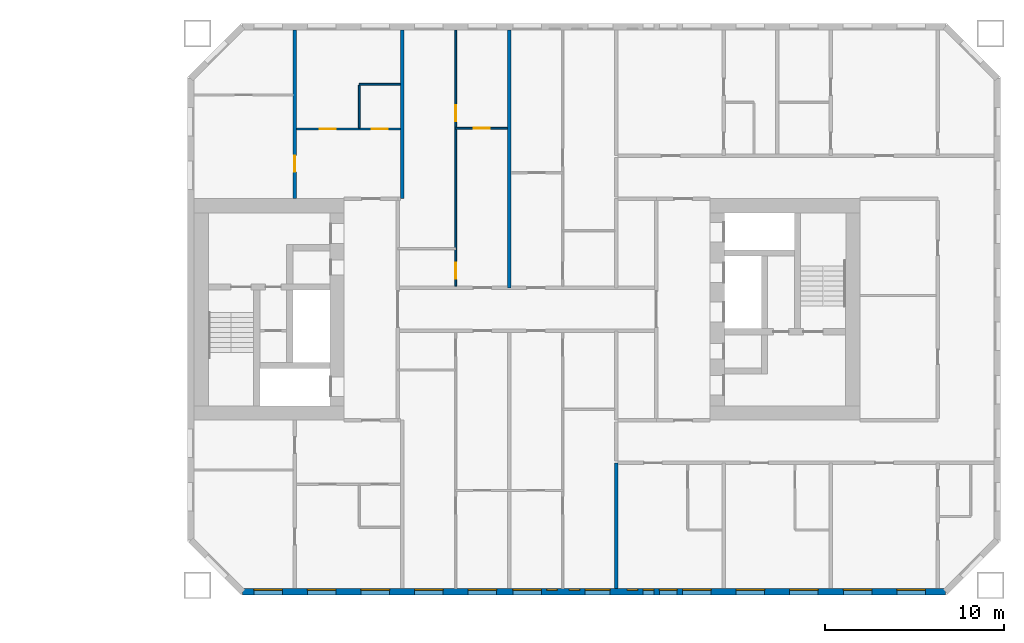
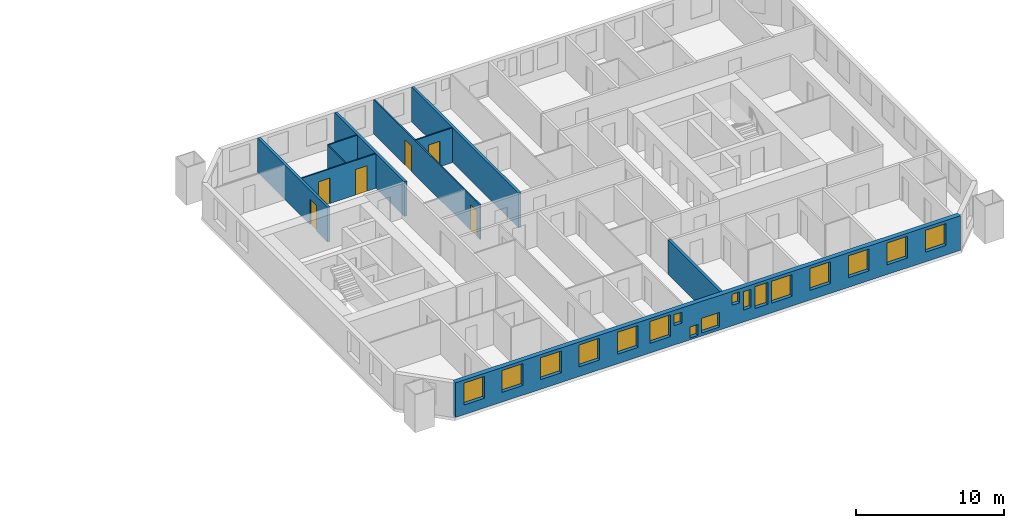
# One storey, part 10 of 16: 17 windows, 10 walls, 6 doors, 23 openings.
"""IFC4 building model written with IfcOpenShell, lengths in metres."""

from ifc_helpers import new_model, si_unit, direction, frame, frame_2d, origin, place, context, subcontext, project, spatial, rectangle, extrude, material, layer, layer_set, type_object, element, fill, save


model = new_model("IFC4")

# Units and contexts
model_context = context("Model", 3, precision=1e-05, world=origin(), true_north=direction((0.0, 1.0)))
body_context = subcontext(model_context, "Body", "Model", "MODEL_VIEW")
ifc_project = project(units=[si_unit("LENGTHUNIT", "METRE"), si_unit("AREAUNIT", "SQUARE_METRE"), si_unit("VOLUMEUNIT", "CUBIC_METRE"), si_unit("PLANEANGLEUNIT", "RADIAN"), si_unit("MASSUNIT", "GRAM", prefix="KILO")], contexts=[model_context])

# Site, building, storey
site_placement = place(None, origin())
site = spatial("IfcSite", under=ifc_project, at=site_placement, CompositionType="ELEMENT")
building_placement = place(site_placement, origin())
building = spatial("IfcBuilding", under=site, at=building_placement, Name="Tuart Gate Housing", CompositionType="ELEMENT")
storey_placement = place(building_placement, frame((0.0, 0.0, 59.800048828125)))
storey = spatial("IfcBuildingStorey", under=building, at=storey_placement, Name="L16", CompositionType="ELEMENT", Elevation=59.800048828125)

# Wall, openings, windows
ifc_material_1 = material(Name="Brick", Category="masonry")
ifc_layer_1 = layer(ifc_material_1, 0.360107421875)
ifc_layer_set_1 = layer_set([ifc_layer_1], Name="Brick pier and spandrel wall 360")
wall_type_1 = type_object("IfcWallType", Name="Brick pier and spandrel wall 360", PredefinedType="STANDARD", material=ifc_layer_set_1)
wall_1_placement = place(storey_placement, frame((134.07470703125, 54.179931640625, 0.0), z_axis=(0.0, 0.0, 1.0), x_axis=(1.0, 0.0, 0.0)))
wall_1 = element("IfcWall", 1, at=wall_1_placement, inside=storey, type_object=wall_type_1, Name="External wall B-S L16", PredefinedType="STANDARD", context=body_context, shape_type="SweptSolid", body=[
    extrude(rectangle(XDim=39.350830078125, YDim=0.360107421875, at=frame_2d((19.67529296875, 0.0))), origin(), (0.0, 0.0, 1.0), 2.849853515625),
])
opening_1_placement = place(wall_1_placement, frame((0.62548828125, 0.0, 0.800048828125)))
opening_1 = element("IfcOpeningElement", 2, at=opening_1_placement, cuts=wall_1, Name="Opening W1", PredefinedType="OPENING", context=body_context, shape_type="SweptSolid", body=[
    extrude(rectangle(XDim=1.60009765625, YDim=1.800048828125, at=frame_2d((0.800048828125, 0.89990234375))), frame((0.0, 0.18994140625, 0.0), z_axis=(0.0, -1.0, 0.0), x_axis=(1.0, 0.0, 0.0)), (0.0, 0.0, 1.0), 0.380126953125),
])
opening_2_placement = place(wall_1_placement, frame((3.62548828125, 0.0, 0.800048828125)))
opening_2 = element("IfcOpeningElement", 3, at=opening_2_placement, cuts=wall_1, Name="Opening W1", PredefinedType="OPENING", context=body_context, shape_type="SweptSolid", body=[
    extrude(rectangle(XDim=1.60009765625, YDim=1.800048828125, at=frame_2d((0.800048828125, 0.89990234375))), frame((0.0, 0.18994140625, 0.0), z_axis=(0.0, -1.0, 0.0), x_axis=(1.0, 0.0, 0.0)), (0.0, 0.0, 1.0), 0.380126953125),
])
opening_3_placement = place(wall_1_placement, frame((6.62548828125, 0.0, 0.800048828125)))
opening_3 = element("IfcOpeningElement", 4, at=opening_3_placement, cuts=wall_1, Name="Opening W1", PredefinedType="OPENING", context=body_context, shape_type="SweptSolid", body=[
    extrude(rectangle(XDim=1.60009765625, YDim=1.800048828125, at=frame_2d((0.800048828125, 0.89990234375))), frame((0.0, 0.18994140625, 0.0), z_axis=(0.0, -1.0, 0.0), x_axis=(1.0, 0.0, 0.0)), (0.0, 0.0, 1.0), 0.380126953125),
])
opening_4_placement = place(wall_1_placement, frame((9.62548828125, 0.0, 0.800048828125)))
opening_4 = element("IfcOpeningElement", 5, at=opening_4_placement, cuts=wall_1, Name="Opening W1", PredefinedType="OPENING", context=body_context, shape_type="SweptSolid", body=[
    extrude(rectangle(XDim=1.60009765625, YDim=1.800048828125, at=frame_2d((0.800048828125, 0.89990234375))), frame((0.0, 0.18994140625, 0.0), z_axis=(0.0, -1.0, 0.0), x_axis=(1.0, 0.0, 0.0)), (0.0, 0.0, 1.0), 0.380126953125),
])
opening_5_placement = place(wall_1_placement, frame((12.62548828125, 0.0, 0.800048828125)))
opening_5 = element("IfcOpeningElement", 6, at=opening_5_placement, cuts=wall_1, Name="Opening W1", PredefinedType="OPENING", context=body_context, shape_type="SweptSolid", body=[
    extrude(rectangle(XDim=1.60009765625, YDim=1.800048828125, at=frame_2d((0.800048828125, 0.89990234375))), frame((0.0, 0.18994140625, 0.0), z_axis=(0.0, -1.0, 0.0), x_axis=(1.0, 0.0, 0.0)), (0.0, 0.0, 1.0), 0.380126953125),
])
opening_6_placement = place(wall_1_placement, frame((15.12548828125, 0.0, 0.800048828125)))
opening_6 = element("IfcOpeningElement", 7, at=opening_6_placement, cuts=wall_1, Name="Opening W1", PredefinedType="OPENING", context=body_context, shape_type="SweptSolid", body=[
    extrude(rectangle(XDim=1.60009765625, YDim=1.800048828125, at=frame_2d((0.800048828125, 0.89990234375))), frame((0.0, 0.18994140625, 0.0), z_axis=(0.0, -1.0, 0.0), x_axis=(1.0, 0.0, 0.0)), (0.0, 0.0, 1.0), 0.380126953125),
])
opening_7_placement = place(wall_1_placement, frame((18.275390625, 0.0, 0.14990234375)))
opening_7 = element("IfcOpeningElement", 8, at=opening_7_placement, cuts=wall_1, Name="Opening W1W", PredefinedType="OPENING", context=body_context, shape_type="SweptSolid", body=[
    extrude(rectangle(XDim=0.60009765625, YDim=0.89990234375, at=frame_2d((0.300048828125, 0.449951171875))), frame((0.0, 0.18994140625, 0.0), z_axis=(0.0, -1.0, 0.0), x_axis=(1.0, 0.0, 0.0)), (0.0, 0.0, 1.0), 0.380126953125),
])
opening_8_placement = place(wall_1_placement, frame((21.525390625, 0.0, 1.699951171875)))
opening_8 = element("IfcOpeningElement", 9, at=opening_8_placement, cuts=wall_1, Name="Opening W1W", PredefinedType="OPENING", context=body_context, shape_type="SweptSolid", body=[
    extrude(rectangle(XDim=0.60009765625, YDim=0.89990234375, at=frame_2d((0.300048828125, 0.449951171875))), frame((0.0, 0.18994140625, 0.0), z_axis=(0.0, -1.0, 0.0), x_axis=(1.0, 0.0, 0.0)), (0.0, 0.0, 1.0), 0.380126953125),
])
opening_9_placement = place(wall_1_placement, frame((24.62548828125, 0.0, 0.800048828125)))
opening_9 = element("IfcOpeningElement", 10, at=opening_9_placement, cuts=wall_1, Name="Opening W1", PredefinedType="OPENING", context=body_context, shape_type="SweptSolid", body=[
    extrude(rectangle(XDim=1.60009765625, YDim=1.800048828125, at=frame_2d((0.800048828125, 0.89990234375))), frame((0.0, 0.18994140625, 0.0), z_axis=(0.0, -1.0, 0.0), x_axis=(1.0, 0.0, 0.0)), (0.0, 0.0, 1.0), 0.380126953125),
])
opening_10_placement = place(wall_1_placement, frame((27.62548828125, 0.0, 0.800048828125)))
opening_10 = element("IfcOpeningElement", 11, at=opening_10_placement, cuts=wall_1, Name="Opening W1", PredefinedType="OPENING", context=body_context, shape_type="SweptSolid", body=[
    extrude(rectangle(XDim=1.60009765625, YDim=1.800048828125, at=frame_2d((0.800048828125, 0.89990234375))), frame((0.0, 0.18994140625, 0.0), z_axis=(0.0, -1.0, 0.0), x_axis=(1.0, 0.0, 0.0)), (0.0, 0.0, 1.0), 0.380126953125),
])
opening_11_placement = place(wall_1_placement, frame((30.62548828125, 0.0, 0.800048828125)))
opening_11 = element("IfcOpeningElement", 12, at=opening_11_placement, cuts=wall_1, Name="Opening W1", PredefinedType="OPENING", context=body_context, shape_type="SweptSolid", body=[
    extrude(rectangle(XDim=1.60009765625, YDim=1.800048828125, at=frame_2d((0.800048828125, 0.89990234375))), frame((0.0, 0.18994140625, 0.0), z_axis=(0.0, -1.0, 0.0), x_axis=(1.0, 0.0, 0.0)), (0.0, 0.0, 1.0), 0.380126953125),
])
opening_12_placement = place(wall_1_placement, frame((33.62548828125, 0.0, 0.800048828125)))
opening_12 = element("IfcOpeningElement", 13, at=opening_12_placement, cuts=wall_1, Name="Opening W1", PredefinedType="OPENING", context=body_context, shape_type="SweptSolid", body=[
    extrude(rectangle(XDim=1.60009765625, YDim=1.800048828125, at=frame_2d((0.800048828125, 0.89990234375))), frame((0.0, 0.18994140625, 0.0), z_axis=(0.0, -1.0, 0.0), x_axis=(1.0, 0.0, 0.0)), (0.0, 0.0, 1.0), 0.380126953125),
])
opening_13_placement = place(wall_1_placement, frame((36.62548828125, 0.0, 0.800048828125)))
opening_13 = element("IfcOpeningElement", 14, at=opening_13_placement, cuts=wall_1, Name="Opening W1", PredefinedType="OPENING", context=body_context, shape_type="SweptSolid", body=[
    extrude(rectangle(XDim=1.60009765625, YDim=1.800048828125, at=frame_2d((0.800048828125, 0.89990234375))), frame((0.0, 0.18994140625, 0.0), z_axis=(0.0, -1.0, 0.0), x_axis=(1.0, 0.0, 0.0)), (0.0, 0.0, 1.0), 0.380126953125),
])
opening_14_placement = place(wall_1_placement, frame((17.025390625, 0.0, 1.60009765625)))
opening_14 = element("IfcOpeningElement", 15, at=opening_14_placement, cuts=wall_1, Name="Opening W1W", PredefinedType="OPENING", context=body_context, shape_type="SweptSolid", body=[
    extrude(rectangle(XDim=0.60009765625, YDim=0.89990234375, at=frame_2d((0.300048828125, 0.449951171875))), frame((0.0, 0.18994140625, 0.0), z_axis=(0.0, -1.0, 0.0), x_axis=(1.0, 0.0, 0.0)), (0.0, 0.0, 1.0), 0.380126953125),
])
opening_15_placement = place(wall_1_placement, frame((19.17529296875, 0.0, 0.25)))
opening_15 = element("IfcOpeningElement", 16, at=opening_15_placement, cuts=wall_1, Name="Opening W1M", PredefinedType="OPENING", context=body_context, shape_type="SweptSolid", body=[
    extrude(rectangle(XDim=1.39990234375, YDim=1.199951171875, at=frame_2d((0.699951171875, 0.60009765625))), frame((0.0, 0.18994140625, 0.0), z_axis=(0.0, -1.0, 0.0), x_axis=(1.0, 0.0, 0.0)), (0.0, 0.0, 1.0), 0.380126953125),
])
opening_16_placement = place(wall_1_placement, frame((22.42529296875, 0.0, 1.0)))
opening_16 = element("IfcOpeningElement", 17, at=opening_16_placement, cuts=wall_1, Name="Opening W1K", PredefinedType="OPENING", context=body_context, shape_type="SweptSolid", body=[
    extrude(rectangle(XDim=0.60009765625, YDim=1.5, at=frame_2d((0.300048828125, 0.75))), frame((0.0, 0.18994140625, 0.0), z_axis=(0.0, -1.0, 0.0), x_axis=(1.0, 0.0, 0.0)), (0.0, 0.0, 1.0), 0.380126953125),
])
opening_17_placement = place(wall_1_placement, frame((23.325439453125, 0.0, 0.800048828125)))
opening_17 = element("IfcOpeningElement", 18, at=opening_17_placement, cuts=wall_1, Name="Opening W1C", PredefinedType="OPENING", context=body_context, shape_type="SweptSolid", body=[
    extrude(rectangle(XDim=1.0, YDim=1.800048828125, at=frame_2d((0.5, 0.89990234375))), frame((0.0, 0.18994140625, 0.0), z_axis=(0.0, -1.0, 0.0), x_axis=(1.0, 0.0, 0.0)), (0.0, 0.0, 1.0), 0.380126953125),
])
ifc_material_2 = material(Name="Aluminium frame with clear glass", Category="aluminium")
window_type_1 = type_object("IfcWindowType", Name="Punched window 1000 x 1800", PartitioningType="SINGLE_PANEL", PredefinedType="WINDOW", material=ifc_material_2)
window_1_placement = place(opening_17_placement, origin())
window_1 = element("IfcWindow", 19, at=window_1_placement, inside=storey, type_object=window_type_1, Name="Window W1C", OverallHeight=1.800048828125, OverallWidth=1.0, PartitioningType="SINGLE_PANEL", PredefinedType="WINDOW", context=body_context, shape_type="SweptSolid", body=[
    extrude(rectangle(XDim=1.0, YDim=1.800048828125, at=frame_2d((0.5, 0.89990234375))), frame((0.0, 0.150146484375, 0.0), z_axis=(0.0, -1.0, 0.0), x_axis=(1.0, 0.0, 0.0)), (0.0, 0.0, 1.0), 0.06005859375),
])
fill(opening_17, window_1)
ifc_material_3 = material(Name="Aluminium frame with clear glass", Category="aluminium")
window_type_2 = type_object("IfcWindowType", Name="Punched window 1400 x 1200", PartitioningType="SINGLE_PANEL", PredefinedType="WINDOW", material=ifc_material_3)
window_2_placement = place(opening_15_placement, origin())
window_2 = element("IfcWindow", 20, at=window_2_placement, inside=storey, type_object=window_type_2, Name="Window W1M", OverallHeight=1.199951171875, OverallWidth=1.39990234375, PartitioningType="SINGLE_PANEL", PredefinedType="WINDOW", context=body_context, shape_type="SweptSolid", body=[
    extrude(rectangle(XDim=1.39990234375, YDim=1.199951171875, at=frame_2d((0.699951171875, 0.60009765625))), frame((0.0, 0.150146484375, 0.0), z_axis=(0.0, -1.0, 0.0), x_axis=(1.0, 0.0, 0.0)), (0.0, 0.0, 1.0), 0.06005859375),
])
fill(opening_15, window_2)
ifc_material_4 = material(Name="Aluminium frame with clear glass", Category="aluminium")
window_type_3 = type_object("IfcWindowType", Name="Punched window 1600 x 1800", PartitioningType="SINGLE_PANEL", PredefinedType="WINDOW", material=ifc_material_4)
window_3_placement = place(opening_1_placement, origin())
window_3 = element("IfcWindow", 21, at=window_3_placement, inside=storey, type_object=window_type_3, Name="Window W1", OverallHeight=1.800048828125, OverallWidth=1.60009765625, PartitioningType="SINGLE_PANEL", PredefinedType="WINDOW", context=body_context, shape_type="SweptSolid", body=[
    extrude(rectangle(XDim=1.60009765625, YDim=1.800048828125, at=frame_2d((0.800048828125, 0.89990234375))), frame((0.0, 0.150146484375, 0.0), z_axis=(0.0, -1.0, 0.0), x_axis=(1.0, 0.0, 0.0)), (0.0, 0.0, 1.0), 0.06005859375),
])
fill(opening_1, window_3)
window_4_placement = place(opening_2_placement, origin())
window_4 = element("IfcWindow", 22, at=window_4_placement, inside=storey, type_object=window_type_3, Name="Window W1", OverallHeight=1.800048828125, OverallWidth=1.60009765625, PartitioningType="SINGLE_PANEL", PredefinedType="WINDOW", context=body_context, shape_type="SweptSolid", body=[
    extrude(rectangle(XDim=1.60009765625, YDim=1.800048828125, at=frame_2d((0.800048828125, 0.89990234375))), frame((0.0, 0.150146484375, 0.0), z_axis=(0.0, -1.0, 0.0), x_axis=(1.0, 0.0, 0.0)), (0.0, 0.0, 1.0), 0.06005859375),
])
fill(opening_2, window_4)
window_5_placement = place(opening_3_placement, origin())
window_5 = element("IfcWindow", 23, at=window_5_placement, inside=storey, type_object=window_type_3, Name="Window W1", OverallHeight=1.800048828125, OverallWidth=1.60009765625, PartitioningType="SINGLE_PANEL", PredefinedType="WINDOW", context=body_context, shape_type="SweptSolid", body=[
    extrude(rectangle(XDim=1.60009765625, YDim=1.800048828125, at=frame_2d((0.800048828125, 0.89990234375))), frame((0.0, 0.150146484375, 0.0), z_axis=(0.0, -1.0, 0.0), x_axis=(1.0, 0.0, 0.0)), (0.0, 0.0, 1.0), 0.06005859375),
])
fill(opening_3, window_5)
window_6_placement = place(opening_4_placement, origin())
window_6 = element("IfcWindow", 24, at=window_6_placement, inside=storey, type_object=window_type_3, Name="Window W1", OverallHeight=1.800048828125, OverallWidth=1.60009765625, PartitioningType="SINGLE_PANEL", PredefinedType="WINDOW", context=body_context, shape_type="SweptSolid", body=[
    extrude(rectangle(XDim=1.60009765625, YDim=1.800048828125, at=frame_2d((0.800048828125, 0.89990234375))), frame((0.0, 0.150146484375, 0.0), z_axis=(0.0, -1.0, 0.0), x_axis=(1.0, 0.0, 0.0)), (0.0, 0.0, 1.0), 0.06005859375),
])
fill(opening_4, window_6)
window_7_placement = place(opening_5_placement, origin())
window_7 = element("IfcWindow", 25, at=window_7_placement, inside=storey, type_object=window_type_3, Name="Window W1", OverallHeight=1.800048828125, OverallWidth=1.60009765625, PartitioningType="SINGLE_PANEL", PredefinedType="WINDOW", context=body_context, shape_type="SweptSolid", body=[
    extrude(rectangle(XDim=1.60009765625, YDim=1.800048828125, at=frame_2d((0.800048828125, 0.89990234375))), frame((0.0, 0.150146484375, 0.0), z_axis=(0.0, -1.0, 0.0), x_axis=(1.0, 0.0, 0.0)), (0.0, 0.0, 1.0), 0.06005859375),
])
fill(opening_5, window_7)
window_8_placement = place(opening_6_placement, origin())
window_8 = element("IfcWindow", 26, at=window_8_placement, inside=storey, type_object=window_type_3, Name="Window W1", OverallHeight=1.800048828125, OverallWidth=1.60009765625, PartitioningType="SINGLE_PANEL", PredefinedType="WINDOW", context=body_context, shape_type="SweptSolid", body=[
    extrude(rectangle(XDim=1.60009765625, YDim=1.800048828125, at=frame_2d((0.800048828125, 0.89990234375))), frame((0.0, 0.150146484375, 0.0), z_axis=(0.0, -1.0, 0.0), x_axis=(1.0, 0.0, 0.0)), (0.0, 0.0, 1.0), 0.06005859375),
])
fill(opening_6, window_8)
window_9_placement = place(opening_9_placement, origin())
window_9 = element("IfcWindow", 27, at=window_9_placement, inside=storey, type_object=window_type_3, Name="Window W1", OverallHeight=1.800048828125, OverallWidth=1.60009765625, PartitioningType="SINGLE_PANEL", PredefinedType="WINDOW", context=body_context, shape_type="SweptSolid", body=[
    extrude(rectangle(XDim=1.60009765625, YDim=1.800048828125, at=frame_2d((0.800048828125, 0.89990234375))), frame((0.0, 0.150146484375, 0.0), z_axis=(0.0, -1.0, 0.0), x_axis=(1.0, 0.0, 0.0)), (0.0, 0.0, 1.0), 0.06005859375),
])
fill(opening_9, window_9)
window_10_placement = place(opening_10_placement, origin())
window_10 = element("IfcWindow", 28, at=window_10_placement, inside=storey, type_object=window_type_3, Name="Window W1", OverallHeight=1.800048828125, OverallWidth=1.60009765625, PartitioningType="SINGLE_PANEL", PredefinedType="WINDOW", context=body_context, shape_type="SweptSolid", body=[
    extrude(rectangle(XDim=1.60009765625, YDim=1.800048828125, at=frame_2d((0.800048828125, 0.89990234375))), frame((0.0, 0.150146484375, 0.0), z_axis=(0.0, -1.0, 0.0), x_axis=(1.0, 0.0, 0.0)), (0.0, 0.0, 1.0), 0.06005859375),
])
fill(opening_10, window_10)
window_11_placement = place(opening_11_placement, origin())
window_11 = element("IfcWindow", 29, at=window_11_placement, inside=storey, type_object=window_type_3, Name="Window W1", OverallHeight=1.800048828125, OverallWidth=1.60009765625, PartitioningType="SINGLE_PANEL", PredefinedType="WINDOW", context=body_context, shape_type="SweptSolid", body=[
    extrude(rectangle(XDim=1.60009765625, YDim=1.800048828125, at=frame_2d((0.800048828125, 0.89990234375))), frame((0.0, 0.150146484375, 0.0), z_axis=(0.0, -1.0, 0.0), x_axis=(1.0, 0.0, 0.0)), (0.0, 0.0, 1.0), 0.06005859375),
])
fill(opening_11, window_11)
window_12_placement = place(opening_12_placement, origin())
window_12 = element("IfcWindow", 30, at=window_12_placement, inside=storey, type_object=window_type_3, Name="Window W1", OverallHeight=1.800048828125, OverallWidth=1.60009765625, PartitioningType="SINGLE_PANEL", PredefinedType="WINDOW", context=body_context, shape_type="SweptSolid", body=[
    extrude(rectangle(XDim=1.60009765625, YDim=1.800048828125, at=frame_2d((0.800048828125, 0.89990234375))), frame((0.0, 0.150146484375, 0.0), z_axis=(0.0, -1.0, 0.0), x_axis=(1.0, 0.0, 0.0)), (0.0, 0.0, 1.0), 0.06005859375),
])
fill(opening_12, window_12)
window_13_placement = place(opening_13_placement, origin())
window_13 = element("IfcWindow", 31, at=window_13_placement, inside=storey, type_object=window_type_3, Name="Window W1", OverallHeight=1.800048828125, OverallWidth=1.60009765625, PartitioningType="SINGLE_PANEL", PredefinedType="WINDOW", context=body_context, shape_type="SweptSolid", body=[
    extrude(rectangle(XDim=1.60009765625, YDim=1.800048828125, at=frame_2d((0.800048828125, 0.89990234375))), frame((0.0, 0.150146484375, 0.0), z_axis=(0.0, -1.0, 0.0), x_axis=(1.0, 0.0, 0.0)), (0.0, 0.0, 1.0), 0.06005859375),
])
fill(opening_13, window_13)
ifc_material_5 = material(Name="Aluminium frame with clear glass", Category="aluminium")
window_type_4 = type_object("IfcWindowType", Name="Punched window 600 x 1500", PartitioningType="SINGLE_PANEL", PredefinedType="WINDOW", material=ifc_material_5)
window_14_placement = place(opening_16_placement, origin())
window_14 = element("IfcWindow", 32, at=window_14_placement, inside=storey, type_object=window_type_4, Name="Window W1K", OverallHeight=1.5, OverallWidth=0.60009765625, PartitioningType="SINGLE_PANEL", PredefinedType="WINDOW", context=body_context, shape_type="SweptSolid", body=[
    extrude(rectangle(XDim=0.60009765625, YDim=1.5, at=frame_2d((0.300048828125, 0.75))), frame((0.0, 0.150146484375, 0.0), z_axis=(0.0, -1.0, 0.0), x_axis=(1.0, 0.0, 0.0)), (0.0, 0.0, 1.0), 0.06005859375),
])
fill(opening_16, window_14)
ifc_material_6 = material(Name="Aluminium frame with clear glass", Category="aluminium")
window_type_5 = type_object("IfcWindowType", Name="Punched window 600 x 900", PartitioningType="SINGLE_PANEL", PredefinedType="WINDOW", material=ifc_material_6)
window_15_placement = place(opening_7_placement, origin())
window_15 = element("IfcWindow", 33, at=window_15_placement, inside=storey, type_object=window_type_5, Name="Window W1W", OverallHeight=0.89990234375, OverallWidth=0.60009765625, PartitioningType="SINGLE_PANEL", PredefinedType="WINDOW", context=body_context, shape_type="SweptSolid", body=[
    extrude(rectangle(XDim=0.60009765625, YDim=0.89990234375, at=frame_2d((0.300048828125, 0.449951171875))), frame((0.0, 0.150146484375, 0.0), z_axis=(0.0, -1.0, 0.0), x_axis=(1.0, 0.0, 0.0)), (0.0, 0.0, 1.0), 0.06005859375),
])
fill(opening_7, window_15)
window_16_placement = place(opening_8_placement, origin())
window_16 = element("IfcWindow", 34, at=window_16_placement, inside=storey, type_object=window_type_5, Name="Window W1W", OverallHeight=0.89990234375, OverallWidth=0.60009765625, PartitioningType="SINGLE_PANEL", PredefinedType="WINDOW", context=body_context, shape_type="SweptSolid", body=[
    extrude(rectangle(XDim=0.60009765625, YDim=0.89990234375, at=frame_2d((0.300048828125, 0.449951171875))), frame((0.0, 0.150146484375, 0.0), z_axis=(0.0, -1.0, 0.0), x_axis=(1.0, 0.0, 0.0)), (0.0, 0.0, 1.0), 0.06005859375),
])
fill(opening_8, window_16)
window_17_placement = place(opening_14_placement, origin())
window_17 = element("IfcWindow", 35, at=window_17_placement, inside=storey, type_object=window_type_5, Name="Window W1W", OverallHeight=0.89990234375, OverallWidth=0.60009765625, PartitioningType="SINGLE_PANEL", PredefinedType="WINDOW", context=body_context, shape_type="SweptSolid", body=[
    extrude(rectangle(XDim=0.60009765625, YDim=0.89990234375, at=frame_2d((0.300048828125, 0.449951171875))), frame((0.0, 0.150146484375, 0.0), z_axis=(0.0, -1.0, 0.0), x_axis=(1.0, 0.0, 0.0)), (0.0, 0.0, 1.0), 0.06005859375),
])
fill(opening_14, window_17)

# Wall, openings, doors
ifc_material_7 = material(Name="Gypsum board on steel studs", Category="steel")
ifc_layer_2 = layer(ifc_material_7, 0.10009765625)
ifc_layer_set_2 = layer_set([ifc_layer_2], Name="Partition 100")
wall_type_2 = type_object("IfcWallType", Name="Partition 100", PredefinedType="PARTITIONING", material=ifc_layer_set_2)
wall_2_placement = place(storey_placement, frame((137.10009765625, 80.10009765625, 0.0), z_axis=(0.0, 0.0, 1.0), x_axis=(1.0, 0.0, 0.0)))
wall_2 = element("IfcWall", 36, at=wall_2_placement, inside=storey, type_object=wall_type_2, Name="Partition 100", PredefinedType="PARTITIONING", context=body_context, shape_type="SweptSolid", body=[
    extrude(rectangle(XDim=5.7998046875, YDim=0.10009765625, at=frame_2d((2.89990234375, 0.0))), origin(), (0.0, 0.0, 1.0), 2.849853515625),
])
opening_18_placement = place(wall_2_placement, frame((1.300048828125, 0.0, 0.0)))
opening_18 = element("IfcOpeningElement", 37, at=opening_18_placement, cuts=wall_2, Name="Opening D787", PredefinedType="OPENING", context=body_context, shape_type="SweptSolid", body=[
    extrude(rectangle(XDim=0.89990234375, YDim=2.10009765625, at=frame_2d((0.449951171875, 1.050048828125))), frame((0.0, 0.06005859375, 0.0), z_axis=(0.0, -1.0, 0.0), x_axis=(1.0, 0.0, 0.0)), (0.0, 0.0, 1.0), 0.1201171875),
])
opening_19_placement = place(wall_2_placement, frame((4.199951171875, 0.0, 0.0)))
opening_19 = element("IfcOpeningElement", 38, at=opening_19_placement, cuts=wall_2, Name="Opening D786", PredefinedType="OPENING", context=body_context, shape_type="SweptSolid", body=[
    extrude(rectangle(XDim=0.89990234375, YDim=2.10009765625, at=frame_2d((0.449951171875, 1.050048828125))), frame((0.0, 0.06005859375, 0.0), z_axis=(0.0, -1.0, 0.0), x_axis=(1.0, 0.0, 0.0)), (0.0, 0.0, 1.0), 0.1201171875),
])
ifc_material_8 = material(Name="Timber door leaf in steel frame", Category="steel")
door_type_1 = type_object("IfcDoorType", Name="Bathroom door 900", OperationType="SINGLE_SWING_LEFT", PredefinedType="DOOR", material=ifc_material_8)
door_1_placement = place(opening_19_placement, origin())
door_1 = element("IfcDoor", 39, at=door_1_placement, inside=storey, type_object=door_type_1, Name="Bathroom door", OperationType="SINGLE_SWING_LEFT", OverallHeight=2.10009765625, OverallWidth=0.89990234375, PredefinedType="DOOR", context=body_context, shape_type="SweptSolid", body=[
    extrude(rectangle(XDim=0.89990234375, YDim=2.10009765625, at=frame_2d((0.449951171875, 1.050048828125))), frame((0.0, 0.02490234375, 0.0), z_axis=(0.0, -1.0, 0.0), x_axis=(1.0, 0.0, 0.0)), (0.0, 0.0, 1.0), 0.050048828125),
])
fill(opening_19, door_1)
ifc_material_9 = material(Name="Timber door leaf in steel frame", Category="steel")
door_type_2 = type_object("IfcDoorType", Name="Internal door 900 RH", OperationType="SINGLE_SWING_RIGHT", PredefinedType="DOOR", material=ifc_material_9)
door_2_placement = place(opening_18_placement, origin())
door_2 = element("IfcDoor", 40, at=door_2_placement, inside=storey, type_object=door_type_2, Name="Internal door", OperationType="SINGLE_SWING_RIGHT", OverallHeight=2.10009765625, OverallWidth=0.89990234375, PredefinedType="DOOR", context=body_context, shape_type="SweptSolid", body=[
    extrude(rectangle(XDim=0.89990234375, YDim=2.10009765625, at=frame_2d((0.449951171875, 1.050048828125))), frame((0.0, 0.02490234375, 0.0), z_axis=(0.0, -1.0, 0.0), x_axis=(1.0, 0.0, 0.0)), (0.0, 0.0, 1.0), 0.050048828125),
])
fill(opening_18, door_2)

# Wall, opening, door
wall_3_placement = place(storey_placement, frame((146.0, 80.139892578125, 0.0), z_axis=(0.0, 0.0, 1.0), x_axis=(1.0, 0.0, 0.0)))
wall_3 = element("IfcWall", 41, at=wall_3_placement, inside=storey, type_object=wall_type_2, Name="Partition 100", PredefinedType="PARTITIONING", context=body_context, shape_type="SweptSolid", body=[
    extrude(rectangle(XDim=2.89990234375, YDim=0.10009765625, at=frame_2d((1.449951171875, 0.0))), origin(), (0.0, 0.0, 1.0), 2.849853515625),
])
opening_20_placement = place(wall_3_placement, frame((1.0, 0.0, 0.0)))
opening_20 = element("IfcOpeningElement", 42, at=opening_20_placement, cuts=wall_3, Name="Opening D785", PredefinedType="OPENING", context=body_context, shape_type="SweptSolid", body=[
    extrude(rectangle(XDim=0.89990234375, YDim=2.10009765625, at=frame_2d((0.449951171875, 1.050048828125))), frame((0.0, 0.06005859375, 0.0), z_axis=(0.0, -1.0, 0.0), x_axis=(1.0, 0.0, 0.0)), (0.0, 0.0, 1.0), 0.1201171875),
])
door_3_placement = place(opening_20_placement, frame((0.89990234375, 0.0, 0.0), z_axis=(0.0, 0.0, 1.0), x_axis=(-1.0, 0.0, 0.0)))
door_3 = element("IfcDoor", 43, at=door_3_placement, inside=storey, type_object=door_type_2, Name="Internal door", OperationType="SINGLE_SWING_RIGHT", OverallHeight=2.10009765625, OverallWidth=0.89990234375, PredefinedType="DOOR", context=body_context, shape_type="SweptSolid", body=[
    extrude(rectangle(XDim=0.89990234375, YDim=2.10009765625, at=frame_2d((0.449951171875, 1.050048828125))), frame((0.0, 0.025146484375, 0.0), z_axis=(0.0, -1.0, 0.0), x_axis=(1.0, 0.0, 0.0)), (0.0, 0.0, 1.0), 0.050048828125),
])
fill(opening_20, door_3)

# Walls
wall_4_placement = place(storey_placement, frame((140.60009765625, 82.60009765625, 0.0), z_axis=(0.0, 0.0, 1.0), x_axis=(1.0, 0.0, 0.0)))
element("IfcWall", 44, at=wall_4_placement, inside=storey, type_object=wall_type_2, Name="Partition 100", PredefinedType="PARTITIONING", context=body_context, shape_type="SweptSolid", body=[
    extrude(rectangle(XDim=2.2998046875, YDim=0.10009765625, at=frame_2d((1.14990234375, 0.0))), origin(), (0.0, 0.0, 1.0), 2.849853515625),
])
wall_5_placement = place(storey_placement, frame((140.60009765625, 80.14990234375, 0.0), z_axis=(0.0, 0.0, 1.0), x_axis=(0.0, 1.0, 0.0)))
element("IfcWall", 45, at=wall_5_placement, inside=storey, type_object=wall_type_2, Name="Partition 100", PredefinedType="PARTITIONING", context=body_context, shape_type="SweptSolid", body=[
    extrude(rectangle(XDim=2.400146484375, YDim=0.10009765625, at=frame_2d((1.2001953125, 0.0))), origin(), (0.0, 0.0, 1.0), 2.849853515625),
])

# Wall, openings, doors
wall_6_placement = place(storey_placement, frame((146.0, 71.300048828125, 0.0), z_axis=(0.0, 0.0, 1.0), x_axis=(0.0, 1.0, 0.0)))
wall_6 = element("IfcWall", 46, at=wall_6_placement, inside=storey, type_object=wall_type_2, Name="Partition 100", PredefinedType="PARTITIONING", context=body_context, shape_type="SweptSolid", body=[
    extrude(rectangle(XDim=14.33984375, YDim=0.10009765625, at=frame_2d((7.169921875, 0.0))), origin(), (0.0, 0.0, 1.0), 2.849853515625),
])
opening_21_placement = place(wall_6_placement, frame((9.239990234375, 0.0, 0.0)))
opening_21 = element("IfcOpeningElement", 47, at=opening_21_placement, cuts=wall_6, Name="Opening D791", PredefinedType="OPENING", context=body_context, shape_type="SweptSolid", body=[
    extrude(rectangle(XDim=0.89990234375, YDim=2.10009765625, at=frame_2d((0.449951171875, 1.050048828125))), frame((0.0, 0.06005859375, 0.0), z_axis=(0.0, -1.0, 0.0), x_axis=(1.0, 0.0, 0.0)), (0.0, 0.0, 1.0), 0.1201171875),
])
opening_22_placement = place(wall_6_placement, frame((0.39990234375, 0.0, 0.0)))
opening_22 = element("IfcOpeningElement", 48, at=opening_22_placement, cuts=wall_6, Name="Opening D790", PredefinedType="OPENING", context=body_context, shape_type="SweptSolid", body=[
    extrude(rectangle(XDim=0.89990234375, YDim=2.10009765625, at=frame_2d((0.449951171875, 1.050048828125))), frame((0.0, 0.06005859375, 0.0), z_axis=(0.0, -1.0, 0.0), x_axis=(1.0, 0.0, 0.0)), (0.0, 0.0, 1.0), 0.1201171875),
])
door_4_placement = place(opening_22_placement, origin())
door_4 = element("IfcDoor", 49, at=door_4_placement, inside=storey, type_object=door_type_1, Name="Bathroom door", OperationType="SINGLE_SWING_LEFT", OverallHeight=2.10009765625, OverallWidth=0.89990234375, PredefinedType="DOOR", context=body_context, shape_type="SweptSolid", body=[
    extrude(rectangle(XDim=0.89990234375, YDim=2.10009765625, at=frame_2d((0.449951171875, 1.050048828125))), frame((0.0, 0.02490234375, 0.0), z_axis=(0.0, -1.0, 0.0), x_axis=(1.0, 0.0, 0.0)), (0.0, 0.0, 1.0), 0.050048828125),
])
fill(opening_22, door_4)
door_5_placement = place(opening_21_placement, origin())
door_5 = element("IfcDoor", 50, at=door_5_placement, inside=storey, type_object=door_type_2, Name="Internal door", OperationType="SINGLE_SWING_RIGHT", OverallHeight=2.10009765625, OverallWidth=0.89990234375, PredefinedType="DOOR", context=body_context, shape_type="SweptSolid", body=[
    extrude(rectangle(XDim=0.89990234375, YDim=2.10009765625, at=frame_2d((0.449951171875, 1.050048828125))), frame((0.0, 0.02490234375, 0.0), z_axis=(0.0, -1.0, 0.0), x_axis=(1.0, 0.0, 0.0)), (0.0, 0.0, 1.0), 0.050048828125),
])
fill(opening_21, door_5)

# Wall, opening, door
ifc_material_10 = material(Name="Concrete C40", Category="concrete")
ifc_layer_3 = layer(ifc_material_10, 0.199951171875)
ifc_layer_set_3 = layer_set([ifc_layer_3], Name="Party wall concrete C40 200")
wall_type_3 = type_object("IfcWallType", Name="Party wall concrete C40 200", PredefinedType="SOLIDWALL", material=ifc_layer_set_3)
wall_7_placement = place(storey_placement, frame((137.0, 76.199951171875, 0.0), z_axis=(0.0, 0.0, 1.0), x_axis=(0.0, 1.0, 0.0)))
wall_7 = element("IfcWall", 51, at=wall_7_placement, inside=storey, type_object=wall_type_3, Name="Party wall concrete C40 200", PredefinedType="SOLIDWALL", context=body_context, shape_type="SweptSolid", body=[
    extrude(rectangle(XDim=9.43994140625, YDim=0.199951171875, at=frame_2d((4.719970703125, 0.0))), origin(), (0.0, 0.0, 1.0), 2.849853515625),
])
opening_23_placement = place(wall_7_placement, frame((1.5, 0.0, 0.0)))
opening_23 = element("IfcOpeningElement", 52, at=opening_23_placement, cuts=wall_7, Name="Opening D784", PredefinedType="OPENING", context=body_context, shape_type="SweptSolid", body=[
    extrude(rectangle(XDim=0.89990234375, YDim=2.10009765625, at=frame_2d((0.449951171875, 1.050048828125))), frame((0.0, 0.10986328125, 0.0), z_axis=(0.0, -1.0, 0.0), x_axis=(1.0, 0.0, 0.0)), (0.0, 0.0, 1.0), 0.219970703125),
])
door_6_placement = place(opening_23_placement, frame((0.89990234375, 0.0, 0.0), z_axis=(0.0, 0.0, 1.0), x_axis=(-1.0, 0.0, 0.0)))
door_6 = element("IfcDoor", 53, at=door_6_placement, inside=storey, type_object=door_type_2, Name="Internal door", OperationType="SINGLE_SWING_RIGHT", OverallHeight=2.10009765625, OverallWidth=0.89990234375, PredefinedType="DOOR", context=body_context, shape_type="SweptSolid", body=[
    extrude(rectangle(XDim=0.89990234375, YDim=2.10009765625, at=frame_2d((0.449951171875, 1.050048828125))), frame((0.0, 0.025146484375, 0.0), z_axis=(0.0, -1.0, 0.0), x_axis=(1.0, 0.0, 0.0)), (0.0, 0.0, 1.0), 0.050048828125),
])
fill(opening_23, door_6)

# Walls
wall_8_placement = place(storey_placement, frame((143.0, 76.199951171875, 0.0), z_axis=(0.0, 0.0, 1.0), x_axis=(0.0, 1.0, 0.0)))
element("IfcWall", 54, at=wall_8_placement, inside=storey, type_object=wall_type_3, Name="Party wall concrete C40 200", PredefinedType="SOLIDWALL", context=body_context, shape_type="SweptSolid", body=[
    extrude(rectangle(XDim=9.43994140625, YDim=0.199951171875, at=frame_2d((4.719970703125, 0.0))), origin(), (0.0, 0.0, 1.0), 2.849853515625),
])
wall_9_placement = place(storey_placement, frame((149.0, 71.199951171875, 0.0), z_axis=(0.0, 0.0, 1.0), x_axis=(0.0, 1.0, 0.0)))
element("IfcWall", 55, at=wall_9_placement, inside=storey, type_object=wall_type_3, Name="Party wall concrete C40 200", PredefinedType="SOLIDWALL", context=body_context, shape_type="SweptSolid", body=[
    extrude(rectangle(XDim=14.43994140625, YDim=0.199951171875, at=frame_2d((7.219970703125, 0.0))), origin(), (0.0, 0.0, 1.0), 2.849853515625),
])
wall_10_placement = place(storey_placement, frame((155.0, 54.360107421875, 0.0), z_axis=(0.0, 0.0, 1.0), x_axis=(0.0, 1.0, 0.0)))
element("IfcWall", 56, at=wall_10_placement, inside=storey, type_object=wall_type_3, Name="Party wall concrete C40 200", PredefinedType="SOLIDWALL", context=body_context, shape_type="SweptSolid", body=[
    extrude(rectangle(XDim=7.039794921875, YDim=0.199951171875, at=frame_2d((3.52001953125, 0.0))), origin(), (0.0, 0.0, 1.0), 2.849853515625),
])

save(model, "model.ifc")
